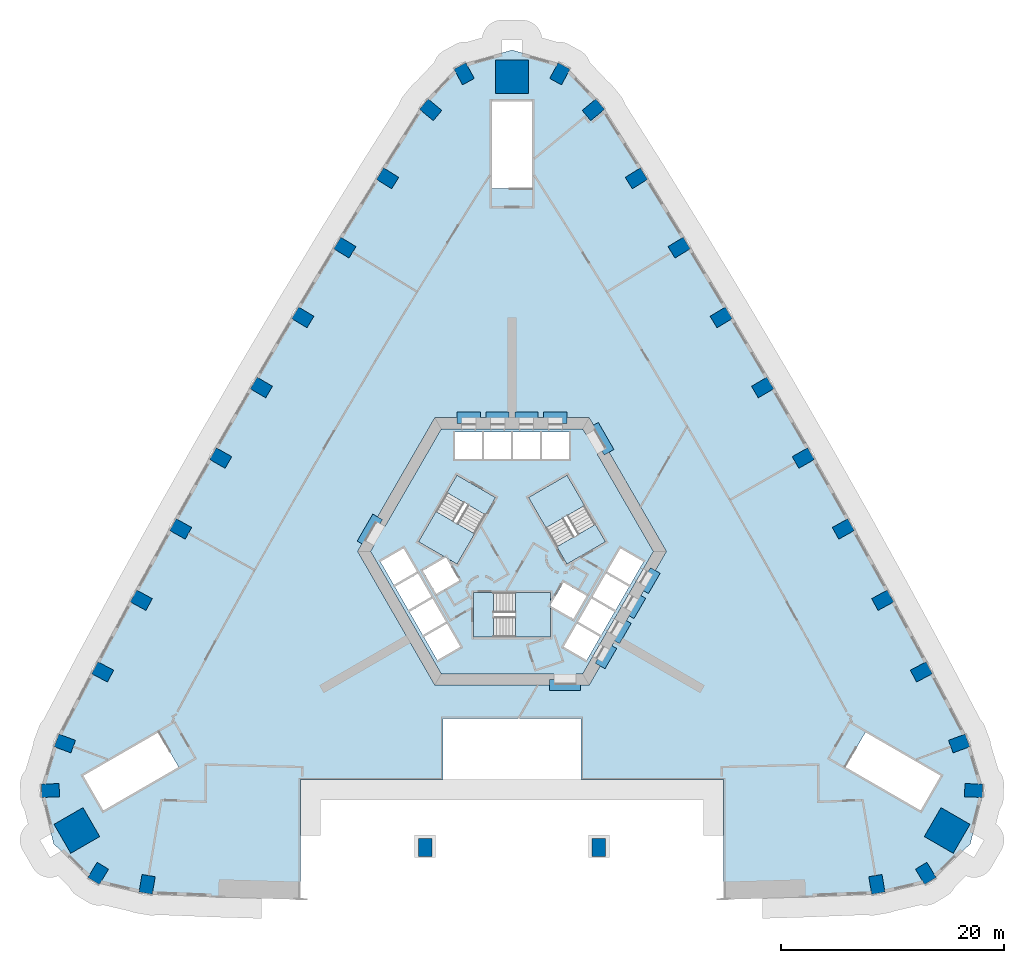
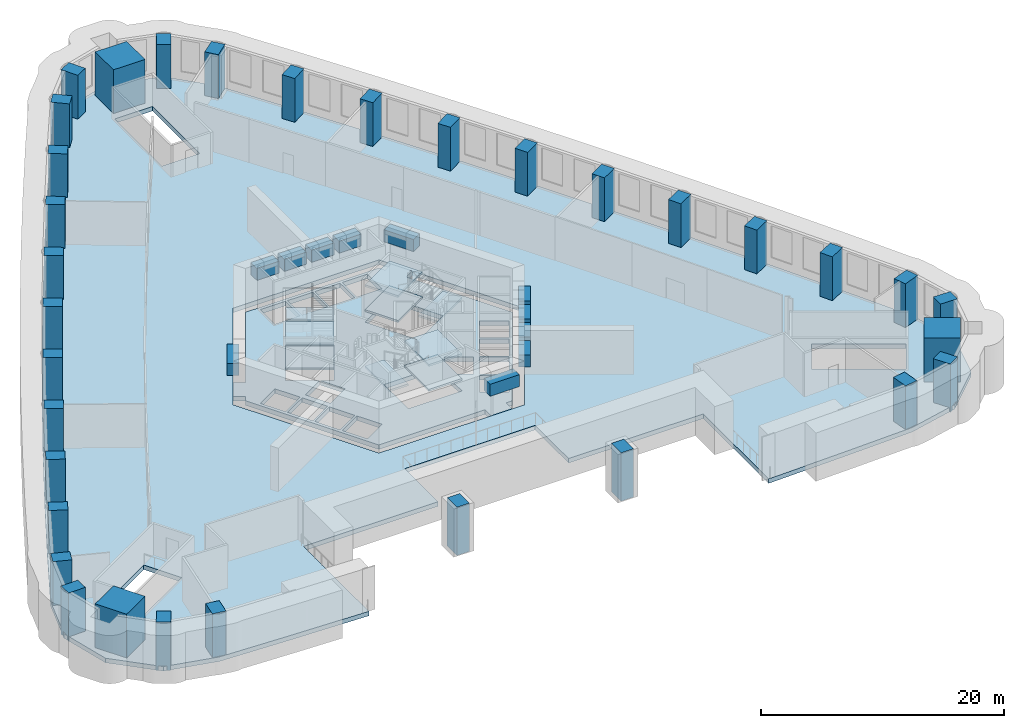
# One storey, part 1 of 15: 33 columns, 11 beams, 11 slabs, 3 elements without a shape of their own.
"""IFC4 building model written with IfcOpenShell, lengths in metres."""

from ifc_helpers import new_model, si_unit, direction, frame, origin, origin_2d, place, context, subcontext, project, spatial, polyline, rectangle, outline, extrude, material, layer, layer_set, material_profile, profile_set, type_object, element, aggregate, save


model = new_model("IFC4")

# Units and contexts
model_context = context("Model", 3, precision=1e-05, world=origin(), true_north=direction((0.0, 1.0)))
body_context = subcontext(model_context, "Body", "Model", "MODEL_VIEW")
ifc_project = project(units=[si_unit("LENGTHUNIT", "METRE"), si_unit("AREAUNIT", "SQUARE_METRE"), si_unit("VOLUMEUNIT", "CUBIC_METRE"), si_unit("PLANEANGLEUNIT", "RADIAN"), si_unit("MASSUNIT", "GRAM", prefix="KILO")], contexts=[model_context])

# Site, building, storey
site_placement = place(None, origin())
site = spatial("IfcSite", under=ifc_project, at=site_placement, CompositionType="ELEMENT")
building_placement = place(site_placement, origin())
building = spatial("IfcBuilding", under=site, at=building_placement, Name="Entoto Arch Interchange Tower", CompositionType="ELEMENT")
storey_placement = place(building_placement, frame((0.0, 0.0, 30.0)))
storey = spatial("IfcBuildingStorey", under=building, at=storey_placement, Name="L05", CompositionType="ELEMENT", Elevation=30.0)

# Columns
ifc_material_1 = material(Name="Concrete C60/75", Category="concrete")
ifc_material_profile_1 = material_profile(ifc_material_1, rectangle(XDim=1.199951171875, YDim=1.60009765625, at=origin_2d()))
ifc_profile_set_1 = profile_set([ifc_material_profile_1], Name="Concrete C60/75")
column_type_1 = type_object("IfcColumnType", Name="Column RC 1200x1600 C60/75", PredefinedType="COLUMN", material=ifc_profile_set_1)
for number, where, z_axis, x_axis, name in (
    (1, (-32.760986328125, -27.39697265625, -0.449951171875), (0.0, 0.0, 1.0), (-0.98600476771, 0.166717119856, 0.0), "Column S01 L05"),
    (2, (32.760986328125, -27.39697265625, -0.449951171875), (0.0, 0.0, 1.0), (0.98600476771, 0.166717119856, 0.0), "Column S06 L05"),
    (3, (37.152099609375, -26.410888671875, -0.449951171875), (0.0, 0.0, 1.0), (0.854522294989, 0.519414716163, 0.0), "Column SE1 L05"),
    (4, (41.447998046875, -18.968994140625, -0.449951171875), (0.0, 0.0, 1.0), (0.022565191802, 0.999745373642, 0.0), "Column SE3 L05"),
    (5, (40.14697265625, -14.7509765625, -0.449951171875), (0.0, 0.0, 1.0), (-0.348277574304, 0.937391450375, 0.0), "Column NE01 L05"),
    (6, (36.7529296875, -8.324951171875, -0.449951171875), (0.0, 0.0, 1.0), (-0.46931745221, 0.883029517656, 0.0), "Column NE02 L05"),
    (7, (33.282958984375, -1.888916015625, -0.449951171875), (0.0, 0.0, 1.0), (-0.478140110514, 0.878283573066, 0.0), "Column NE03 L05"),
    (8, (29.75, 4.511962890625, -0.449951171875), (0.0, 0.0, 1.0), (-0.486914781103, 0.873449481048, 0.0), "Column NE04 L05"),
    (9, (26.155029296875, 10.8798828125, -0.449951171875), (0.0, 0.0, 1.0), (-0.495655741916, 0.868519076074, 0.0), "Column NE05 L05"),
    (10, (22.5, 17.2109375, -0.449951171875), (0.0, 0.0, 1.0), (-0.504331712594, 0.863510002068, 0.0), "Column NE06 L05"),
    (11, (18.781982421875, 23.508056640625, -0.449951171875), (0.0, 0.0, 1.0), (-0.512972048958, 0.858405310438, 0.0), "Column NE07 L05"),
    (12, (15.0048828125, 29.76904296875, -0.449951171875), (0.0, 0.0, 1.0), (-0.521545830745, 0.853223268806, 0.0), "Column NE08 L05"),
    (13, (11.1669921875, 35.992919921875, -0.449951171875), (0.0, 0.0, 1.0), (-0.530067268476, 0.847955594881, 0.0), "Column NE09 L05"),
    (14, (7.299072265625, 42.14404296875, -0.449951171875), (0.0, 0.0, 1.0), (-0.637666022163, 0.770312952103, 0.0), "Column NE10 L05"),
    (15, (4.297119140625, 45.3798828125, -0.449951171875), (0.0, 0.0, 1.0), (-0.877079103306, 0.48034596547, 0.0), "Column N1 L05"),
    (16, (-4.297119140625, 45.3798828125, -0.449951171875), (0.0, 0.0, 1.0), (0.877079103306, 0.48034596547, 0.0), "Column N3 L05"),
    (17, (-7.299072265625, 42.14404296875, -0.449951171875), (0.0, 0.0, 1.0), (0.637666022163, 0.770312952103, 0.0), "Column NW01 L05"),
    (18, (-11.1669921875, 35.992919921875, -0.449951171875), (0.0, 0.0, 1.0), (0.530067268476, 0.847955594881, 0.0), "Column NW02 L05"),
    (19, (-15.0048828125, 29.76904296875, -0.449951171875), (0.0, 0.0, 1.0), (0.521545830745, 0.853223268806, 0.0), "Column NW03 L05"),
    (20, (-18.781982421875, 23.508056640625, -0.449951171875), (0.0, 0.0, 1.0), (0.512972048958, 0.858405310438, 0.0), "Column NW04 L05"),
    (21, (-22.5, 17.2109375, -0.449951171875), (0.0, 0.0, 1.0), (0.504331712594, 0.863510002068, 0.0), "Column NW05 L05"),
    (22, (-26.155029296875, 10.8798828125, -0.449951171875), (0.0, 0.0, 1.0), (0.495655741916, 0.868519076074, 0.0), "Column NW06 L05"),
    (23, (-29.75, 4.511962890625, -0.449951171875), (0.0, 0.0, 1.0), (0.486914781103, 0.873449481048, 0.0), "Column NW07 L05"),
    (24, (-33.282958984375, -1.888916015625, -0.449951171875), (0.0, 0.0, 1.0), (0.478140110514, 0.878283573066, 0.0), "Column NW08 L05"),
    (25, (-36.7529296875, -8.324951171875, -0.449951171875), (0.0, 0.0, 1.0), (0.46931745221, 0.883029517656, 0.0), "Column NW09 L05"),
    (26, (-40.14697265625, -14.7509765625, -0.449951171875), (0.0, 0.0, 1.0), (0.348277574304, 0.937391450375, 0.0), "Column NW10 L05"),
    (27, (-41.447998046875, -18.968994140625, -0.449951171875), (0.0, 0.0, 1.0), (-0.022565191802, 0.999745373642, 0.0), "Column SW1 L05"),
    (28, (-37.152099609375, -26.410888671875, -0.449951171875), (0.0, 0.0, 1.0), (-0.854522294989, 0.519414716163, 0.0), "Column SW3 L05"),
    (29, (-7.800048828125, -24.10009765625, -0.449951171875), (0.0, 0.0, 1.0), (1.0, 0.0, 0.0), "Column ARC-W L05"),
    (30, (7.800048828125, -24.10009765625, -0.449951171875), (0.0, 0.0, 1.0), (1.0, 0.0, 0.0), "Column ARC-E L05"),
):
    element("IfcColumn", number, at=place(storey_placement, frame(where, z_axis=z_axis, x_axis=x_axis)), inside=storey, type_object=column_type_1, Name=name, PredefinedType="COLUMN", context=body_context, shape_type="SweptSolid", body=[
        extrude(rectangle(XDim=1.199951171875, YDim=1.60009765625, at=origin_2d()), origin(), (0.0, 0.0, 1.0), 4.849853515625),
    ])
ifc_material_profile_2 = material_profile(ifc_material_1, rectangle(XDim=3.0, YDim=3.0, at=origin_2d()))
ifc_profile_set_2 = profile_set([ifc_material_profile_2], Name="Concrete C60/75")
column_type_2 = type_object("IfcColumnType", Name="Mega column RC 3000x3000 C60/75", PredefinedType="COLUMN", material=ifc_profile_set_2)
for number, where, z_axis, x_axis, name in (
    (31, (39.069091796875, -22.555908203125, -0.449951171875), (0.0, 0.0, 1.0), (-0.866025403784, 0.5, 0.0), "Corner mega column SE2 L05"),
    (32, (0.0, 45.112060546875, -0.449951171875), (0.0, 0.0, 1.0), (0.0, 1.0, 0.0), "Corner mega column N2 L05"),
    (33, (-39.069091796875, -22.555908203125, -0.449951171875), (0.0, 0.0, 1.0), (0.866025403784, 0.5, 0.0), "Corner mega column SW2 L05"),
):
    element("IfcColumn", number, at=place(storey_placement, frame(where, z_axis=z_axis, x_axis=x_axis)), inside=storey, type_object=column_type_2, Name=name, PredefinedType="COLUMN", context=body_context, shape_type="SweptSolid", body=[
        extrude(rectangle(XDim=3.0, YDim=3.0, at=origin_2d()), origin(), (0.0, 0.0, 1.0), 4.849853515625),
    ])

# Beams
ifc_material_profile_3 = material_profile(ifc_material_1, rectangle(XDim=1.0, YDim=1.199951171875, at=origin_2d()))
ifc_profile_set_3 = profile_set([ifc_material_profile_3], Name="Concrete C60/75")
beam_type = type_object("IfcBeamType", Name="Coupling beam RC 1000x1200 C60/75", PredefinedType="BEAM", material=ifc_profile_set_3)
beam_1_placement = place(storey_placement, frame((8.717041015625, 11.402099609375, 3.0), z_axis=(-0.500200581029, 0.865909567298, 0.0), x_axis=(-0.865909567298, -0.500200581029, 0.0)))
element("IfcBeam", 34, at=beam_1_placement, inside=storey, type_object=beam_type, Name="Coupling beam NE L05", PredefinedType="BEAM", context=body_context, shape_type="SweptSolid", body=[
    extrude(rectangle(XDim=1.0, YDim=1.199951171875, at=origin_2d()), origin(), (0.0, 0.0, 1.0), 2.799072265625),
])
beam_2_placement = place(storey_placement, frame((4.949951171875, 14.5, 3.0), z_axis=(-1.0, 0.0, 0.0), x_axis=(0.0, -1.0, 0.0)))
element("IfcBeam", 35, at=beam_2_placement, inside=storey, type_object=beam_type, Name="Coupling beam N L05", PredefinedType="BEAM", context=body_context, shape_type="SweptSolid", body=[
    extrude(rectangle(XDim=1.0, YDim=1.199951171875, at=origin_2d()), origin(), (0.0, 0.0, 1.0), 2.099853515625),
])
for number, where, z_axis, x_axis, name in (
    (36, (2.35009765625, 14.5, 3.0), (-1.0, 0.0, 0.0), (0.0, -1.0, 0.0), "Coupling beam N L05"),
    (37, (-0.25, 14.5, 3.0), (-1.0, 0.0, 0.0), (0.0, -1.0, 0.0), "Coupling beam N L05"),
):
    element("IfcBeam", number, at=place(storey_placement, frame(where, z_axis=z_axis, x_axis=x_axis)), inside=storey, type_object=beam_type, Name=name, PredefinedType="BEAM", context=body_context, shape_type="SweptSolid", body=[
        extrude(rectangle(XDim=1.0, YDim=1.199951171875, at=origin_2d()), origin(), (0.0, 0.0, 1.0), 2.10009765625),
    ])
beam_3_placement = place(storey_placement, frame((-2.85009765625, 14.5, 3.0), z_axis=(-1.0, 0.0, 0.0), x_axis=(0.0, -1.0, 0.0)))
element("IfcBeam", 38, at=beam_3_placement, inside=storey, type_object=beam_type, Name="Coupling beam N L05", PredefinedType="BEAM", context=body_context, shape_type="SweptSolid", body=[
    extrude(rectangle(XDim=1.0, YDim=1.199951171875, at=origin_2d()), origin(), (0.0, 0.0, 1.0), 2.099853515625),
])
beam_4_placement = place(storey_placement, frame((-12.06689453125, 5.597900390625, 3.0), z_axis=(-0.500200581029, -0.865909567298, 0.0), x_axis=(0.865909567298, -0.500200581029, 0.0)))
element("IfcBeam", 39, at=beam_4_placement, inside=storey, type_object=beam_type, Name="Coupling beam NW L05", PredefinedType="BEAM", context=body_context, shape_type="SweptSolid", body=[
    extrude(rectangle(XDim=1.0, YDim=1.199951171875, at=origin_2d()), origin(), (0.0, 0.0, 1.0), 2.799072265625),
])
beam_5_placement = place(storey_placement, frame((3.35009765625, -9.5, 3.0), z_axis=(1.0, 0.0, 0.0), x_axis=(0.0, 1.0, 0.0)))
element("IfcBeam", 40, at=beam_5_placement, inside=storey, type_object=beam_type, Name="Coupling beam S L05", PredefinedType="BEAM", context=body_context, shape_type="SweptSolid", body=[
    extrude(rectangle(XDim=1.0, YDim=1.199951171875, at=origin_2d()), origin(), (0.0, 0.0, 1.0), 2.7998046875),
])
for number, where, z_axis, x_axis, name in (
    (41, (7.9169921875, -7.785888671875, 3.0), (0.500178781653, 0.865922159541, 0.0), (-0.865922159541, 0.500178781653, 0.0), "Coupling beam SE L05"),
    (42, (9.217041015625, -5.534912109375, 3.0), (0.500178781653, 0.865922159541, 0.0), (-0.865922159541, 0.500178781653, 0.0), "Coupling beam SE L05"),
):
    element("IfcBeam", number, at=place(storey_placement, frame(where, z_axis=z_axis, x_axis=x_axis)), inside=storey, type_object=beam_type, Name=name, PredefinedType="BEAM", context=body_context, shape_type="SweptSolid", body=[
        extrude(rectangle(XDim=1.0, YDim=1.199951171875, at=origin_2d()), origin(), (0.0, 0.0, 1.0), 2.099365234375),
    ])
beam_6_placement = place(storey_placement, frame((10.51708984375, -3.282958984375, 3.0), z_axis=(0.500091574638, 0.865972526687, 0.0), x_axis=(-0.865972526687, 0.500091574638, 0.0)))
element("IfcBeam", 43, at=beam_6_placement, inside=storey, type_object=beam_type, Name="Coupling beam SE L05", PredefinedType="BEAM", context=body_context, shape_type="SweptSolid", body=[
    extrude(rectangle(XDim=1.0, YDim=1.199951171875, at=origin_2d()), origin(), (0.0, 0.0, 1.0), 2.09912109375),
])
beam_7_placement = place(storey_placement, frame((11.81689453125, -1.031982421875, 3.0), z_axis=(0.500178781653, 0.865922159541, 0.0), x_axis=(-0.865922159541, 0.500178781653, 0.0)))
element("IfcBeam", 44, at=beam_7_placement, inside=storey, type_object=beam_type, Name="Coupling beam SE L05", PredefinedType="BEAM", context=body_context, shape_type="SweptSolid", body=[
    extrude(rectangle(XDim=1.0, YDim=1.199951171875, at=origin_2d()), origin(), (0.0, 0.0, 1.0), 2.099365234375),
])

# Slab
ifc_material_2 = material(Name="Concrete C40/50", Category="concrete")
ifc_layer_1 = layer(ifc_material_2, 0.449951171875)
ifc_layer_set_1 = layer_set([ifc_layer_1], Name="Concrete C40/50")
slab_type_1 = type_object("IfcSlabType", Name="Core floor slab 450 C40/50", PredefinedType="FLOOR", material=ifc_layer_set_1)
slab_1_placement = place(storey_placement, frame((0.0, 0.0, -0.449951171875)))
element("IfcSlab", 45, at=slab_1_placement, inside=storey, type_object=slab_type_1, Name="Core floor slab L05", PredefinedType="FLOOR", context=body_context, shape_type="SweptSolid", body=[
    extrude(outline(polyline([(5.75, -9.5), (3.75, -9.5), (3.75, -8.5), (-6.35107421875, -8.5), (-12.701904296875, 2.5), (-12.402099609375, 3.02001953125), (-13.26708984375, 3.52001953125), (-12.26708984375, 5.251953125), (-11.402099609375, 4.751953125), (-6.35107421875, 13.5), (6.35107421875, 13.5), (6.65087890625, 12.97998046875), (7.51708984375, 13.47998046875), (8.51708984375, 11.748046875), (7.65087890625, 11.248046875), (12.701904296875, 2.5), (6.35107421875, -8.5), (5.75, -8.5), (5.75, -9.5)]), holes=[polyline([(-4.637939453125, -6.06689453125), (-5.837890625, -3.988037109375), (-7.916015625, -5.18798828125), (-6.716064453125, -7.26708984375), (-4.637939453125, -6.06689453125)]), polyline([(-5.93798828125, -3.81494140625), (-7.137939453125, -1.737060546875), (-9.216064453125, -2.93701171875), (-8.01611328125, -5.014892578125), (-5.93798828125, -3.81494140625)]), polyline([(5.5048828125, -3.56494140625), (6.705078125, -1.487060546875), (4.626953125, -0.287109375), (3.449951171875, -2.324951171875), (3.449951171875, -1.199951171875), (-1.64990234375, -1.199951171875), (-1.64990234375, -5.199951171875), (3.449951171875, -5.199951171875), (3.449951171875, -2.3779296875), (5.5048828125, -3.56494140625)]), polyline([(-7.238037109375, -1.56298828125), (-8.43798828125, 0.514892578125), (-10.51611328125, -0.68505859375), (-9.31591796875, -2.762939453125), (-7.238037109375, -1.56298828125)]), polyline([(-4.72705078125, -0.113037109375), (-5.904052734375, 1.925048828125), (-4.928955078125, 1.362060546875), (-2.37890625, 5.779052734375), (-5.843017578125, 7.779052734375), (-8.39306640625, 3.362060546875), (-5.949951171875, 1.951904296875), (-8.0048828125, 0.764892578125), (-6.804931640625, -1.31298828125), (-4.72705078125, -0.113037109375)]), polyline([(-8.5380859375, 0.68798828125), (-9.738037109375, 2.76708984375), (-11.81591796875, 1.56689453125), (-10.615966796875, -0.511962890625), (-8.5380859375, 0.68798828125)]), polyline([(-5.10009765625, 10.800048828125), (-2.699951171875, 10.800048828125), (-2.699951171875, 13.199951171875), (-5.10009765625, 13.199951171875), (-5.10009765625, 10.800048828125)]), polyline([(-2.5, 10.800048828125), (-0.10009765625, 10.800048828125), (-0.10009765625, 13.199951171875), (-2.5, 13.199951171875), (-2.5, 10.800048828125)]), polyline([(5.837890625, -3.988037109375), (4.637939453125, -6.06689453125), (6.716064453125, -7.26708984375), (7.916015625, -5.18798828125), (5.837890625, -3.988037109375)]), polyline([(7.137939453125, -1.737060546875), (5.93798828125, -3.81494140625), (8.01611328125, -5.014892578125), (9.216064453125, -2.93701171875), (7.137939453125, -1.737060546875)]), polyline([(8.43798828125, 0.514892578125), (7.238037109375, -1.56298828125), (9.31591796875, -2.762939453125), (10.51611328125, -0.68505859375), (8.43798828125, 0.514892578125)]), polyline([(9.738037109375, 2.76708984375), (8.5380859375, 0.68798828125), (10.615966796875, -0.511962890625), (11.81591796875, 1.56689453125), (9.738037109375, 2.76708984375)]), polyline([(4.029052734375, 2.9208984375), (7.492919921875, 4.9208984375), (4.943115234375, 9.337890625), (1.47900390625, 7.337890625), (4.029052734375, 2.9208984375)]), polyline([(0.10009765625, 13.199951171875), (0.10009765625, 10.800048828125), (2.5, 10.800048828125), (2.5, 13.199951171875), (0.10009765625, 13.199951171875)]), polyline([(2.699951171875, 13.199951171875), (2.699951171875, 10.800048828125), (5.10009765625, 10.800048828125), (5.10009765625, 13.199951171875), (2.699951171875, 13.199951171875)])]), origin(), (0.0, 0.0, 1.0), 0.449951171875),
])

# Stair, slabs
stair_type = type_object("IfcStairType", Name="EXIT STAIR RC 1800", PredefinedType="HALF_TURN_STAIR", material=ifc_material_2)
stair_1_placement = place(storey_placement, origin())
stair_1 = element("IfcStair", 46, at=stair_1_placement, inside=storey, type_object=stair_type, Name="L05 Exit stair S", PredefinedType="HALF_TURN_STAIR")
ifc_layer_2 = layer(ifc_material_2, 0.199951171875)
ifc_layer_set_2 = layer_set([ifc_layer_2], Name="Concrete C40/50")
slab_type_2 = type_object("IfcSlabType", Name="EXIT STAIR LANDING RC 200", PredefinedType="LANDING", material=ifc_layer_set_2)
slab_2_placement = place(storey_placement, frame((0.0, 0.0, 1.050048828125)))
slab_2 = element("IfcSlab", 47, at=slab_2_placement, type_object=slab_type_2, Name="ST-S landing 1", PredefinedType="LANDING", context=body_context, shape_type="SweptSolid", body=[
    extrude(outline(polyline([(0.31005859375, -5.199951171875), (3.449951171875, -5.199951171875), (3.449951171875, -1.199951171875), (0.31005859375, -1.199951171875), (0.31005859375, -5.199951171875)])), origin(), (0.0, 0.0, 1.0), 0.199951171875),
])
slab_3_placement = place(storey_placement, frame((0.0, 0.0, 2.300048828125)))
slab_3 = element("IfcSlab", 48, at=slab_3_placement, type_object=slab_type_2, Name="ST-S landing 2", PredefinedType="LANDING", context=body_context, shape_type="SweptSolid", body=[
    extrude(outline(polyline([(-3.449951171875, -5.199951171875), (-1.64990234375, -5.199951171875), (-1.64990234375, -1.199951171875), (-3.449951171875, -1.199951171875), (-3.449951171875, -5.199951171875)])), origin(), (0.0, 0.0, 1.0), 0.199951171875),
])
slab_4_placement = place(storey_placement, frame((0.0, 0.0, 3.550048828125)))
slab_4 = element("IfcSlab", 49, at=slab_4_placement, type_object=slab_type_2, Name="ST-S landing 3", PredefinedType="LANDING", context=body_context, shape_type="SweptSolid", body=[
    extrude(outline(polyline([(0.31005859375, -5.199951171875), (3.449951171875, -5.199951171875), (3.449951171875, -1.199951171875), (0.31005859375, -1.199951171875), (0.31005859375, -5.199951171875)])), origin(), (0.0, 0.0, 1.0), 0.199951171875),
])
aggregate(stair_1, [slab_2, slab_3, slab_4])

stair_2_placement = place(storey_placement, origin())
stair_2 = element("IfcStair", 50, at=stair_2_placement, inside=storey, type_object=stair_type, Name="L05 Exit stair NE", PredefinedType="HALF_TURN_STAIR")
slab_5_placement = place(storey_placement, frame((0.0, 0.0, 1.050048828125)))
slab_5 = element("IfcSlab", 51, at=slab_5_placement, type_object=slab_type_2, Name="ST-NE landing 1", PredefinedType="LANDING", context=body_context, shape_type="SweptSolid", body=[
    extrude(outline(polyline([(6.513427734375, 6.618408203125), (4.943359375, 9.337890625), (1.479248046875, 7.337890625), (3.04931640625, 4.618408203125), (6.513427734375, 6.618408203125)])), origin(), (0.0, 0.0, 1.0), 0.199951171875),
])
slab_6_placement = place(storey_placement, frame((0.0, 0.0, 2.300048828125)))
slab_6 = element("IfcSlab", 52, at=slab_6_placement, type_object=slab_type_2, Name="ST-NE landing 2", PredefinedType="LANDING", context=body_context, shape_type="SweptSolid", body=[
    extrude(outline(polyline([(8.393310546875, 3.3623046875), (7.493408203125, 4.921142578125), (4.029296875, 2.921142578125), (4.92919921875, 1.3623046875), (8.393310546875, 3.3623046875)])), origin(), (0.0, 0.0, 1.0), 0.199951171875),
])
slab_7_placement = place(storey_placement, frame((0.0, 0.0, 3.550048828125)))
slab_7 = element("IfcSlab", 53, at=slab_7_placement, type_object=slab_type_2, Name="ST-NE landing 3", PredefinedType="LANDING", context=body_context, shape_type="SweptSolid", body=[
    extrude(outline(polyline([(6.513427734375, 6.618408203125), (4.943359375, 9.337890625), (1.479248046875, 7.337890625), (3.04931640625, 4.618408203125), (6.513427734375, 6.618408203125)])), origin(), (0.0, 0.0, 1.0), 0.199951171875),
])
aggregate(stair_2, [slab_5, slab_6, slab_7])

stair_3_placement = place(storey_placement, origin())
stair_3 = element("IfcStair", 54, at=stair_3_placement, inside=storey, type_object=stair_type, Name="L05 Exit stair NW", PredefinedType="HALF_TURN_STAIR")
slab_8_placement = place(storey_placement, frame((0.0, 0.0, 1.050048828125)))
slab_8 = element("IfcSlab", 55, at=slab_8_placement, type_object=slab_type_2, Name="ST-NW landing 1", PredefinedType="LANDING", context=body_context, shape_type="SweptSolid", body=[
    extrude(outline(polyline([(-6.823486328125, 6.08154296875), (-8.393310546875, 3.3623046875), (-4.92919921875, 1.3623046875), (-3.359375, 4.08154296875), (-6.823486328125, 6.08154296875)])), origin(), (0.0, 0.0, 1.0), 0.199951171875),
])
slab_9_placement = place(storey_placement, frame((0.0, 0.0, 2.300048828125)))
slab_9 = element("IfcSlab", 56, at=slab_9_placement, type_object=slab_type_2, Name="ST-NW landing 2", PredefinedType="LANDING", context=body_context, shape_type="SweptSolid", body=[
    extrude(outline(polyline([(-4.943359375, 9.337890625), (-5.843505859375, 7.779052734375), (-2.37939453125, 5.779052734375), (-1.479248046875, 7.337890625), (-4.943359375, 9.337890625)])), origin(), (0.0, 0.0, 1.0), 0.199951171875),
])
slab_10_placement = place(storey_placement, frame((0.0, 0.0, 3.550048828125)))
slab_10 = element("IfcSlab", 57, at=slab_10_placement, type_object=slab_type_2, Name="ST-NW landing 3", PredefinedType="LANDING", context=body_context, shape_type="SweptSolid", body=[
    extrude(outline(polyline([(-6.823486328125, 6.08154296875), (-8.393310546875, 3.3623046875), (-4.92919921875, 1.3623046875), (-3.359375, 4.08154296875), (-6.823486328125, 6.08154296875)])), origin(), (0.0, 0.0, 1.0), 0.199951171875),
])
aggregate(stair_3, [slab_8, slab_9, slab_10])

# Slab
ifc_layer_3 = layer(ifc_material_2, 0.449951171875)
ifc_layer_set_3 = layer_set([ifc_layer_3], Name="Concrete C40/50")
slab_type_3 = type_object("IfcSlabType", Name="Post-tensioned flat plate 450 C40/50", PredefinedType="FLOOR", material=ifc_layer_set_3)
slab_11_placement = place(storey_placement, frame((0.0, 0.0, -0.449951171875)))
element("IfcSlab", 58, at=slab_11_placement, inside=storey, type_object=slab_type_3, Name="Floor slab L05", PredefinedType="FLOOR", context=body_context, shape_type="SweptSolid", body=[
    extrude(outline(polyline([(-26.376953125, -28.5400390625), (-19.0, -28.761962890625), (-19.0, -18.0), (-6.199951171875, -18.0), (-6.199951171875, -12.5), (6.199951171875, -12.5), (6.199951171875, -18.0), (19.0, -18.0), (19.0, -28.761962890625), (26.376953125, -28.5400390625), (32.910888671875, -28.283935546875), (37.618896484375, -27.179931640625), (41.14697265625, -23.756103515625), (42.347900390625, -18.989013671875), (40.990966796875, -14.43798828125), (37.548095703125, -7.903076171875), (34.072998046875, -1.458984375), (30.535888671875, 4.949951171875), (26.93701171875, 11.325927734375), (23.277099609375, 17.6650390625), (19.554931640625, 23.969970703125), (15.77294921875, 30.238037109375), (11.929931640625, 36.469970703125), (7.991943359375, 42.718017578125), (4.72900390625, 46.1689453125), (0.0, 47.511962890625), (-4.72900390625, 46.1689453125), (-7.991943359375, 42.718017578125), (-11.929931640625, 36.469970703125), (-15.77294921875, 30.238037109375), (-19.554931640625, 23.969970703125), (-23.277099609375, 17.6650390625), (-26.93701171875, 11.325927734375), (-30.535888671875, 4.949951171875), (-34.072998046875, -1.458984375), (-37.548095703125, -7.903076171875), (-40.990966796875, -14.43798828125), (-42.347900390625, -18.989013671875), (-41.14697265625, -23.756103515625), (-37.618896484375, -27.179931640625), (-32.910888671875, -28.283935546875), (-26.376953125, -28.5400390625)]), holes=[polyline([(-29.930908203125, -16.85888671875), (-31.73095703125, -13.740966796875), (-38.486083984375, -17.64111328125), (-36.68603515625, -20.759033203125), (-29.930908203125, -16.85888671875)]), polyline([(31.73095703125, -13.740966796875), (29.930908203125, -16.85888671875), (36.68603515625, -20.759033203125), (38.486083984375, -17.64111328125), (31.73095703125, -13.740966796875)]), polyline([(-6.927978515625, -9.5), (6.927978515625, -9.5), (13.85595703125, 2.5), (6.927978515625, 14.5), (-6.927978515625, 14.5), (-13.85595703125, 2.5), (-6.927978515625, -9.5)]), polyline([(-1.800048828125, 42.89990234375), (-1.800048828125, 35.10009765625), (1.800048828125, 35.10009765625), (1.800048828125, 42.89990234375), (-1.800048828125, 42.89990234375)])]), origin(), (0.0, 0.0, 1.0), 0.449951171875),
])

save(model, "model.ifc")
